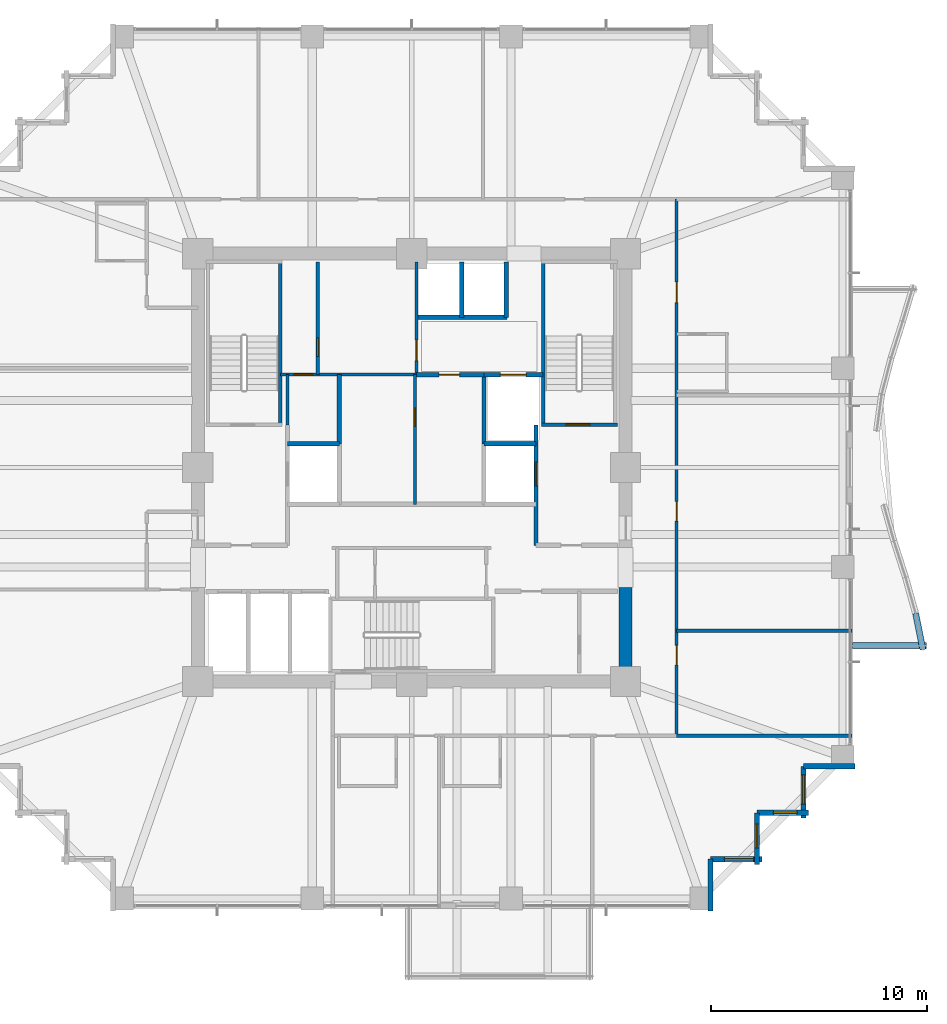
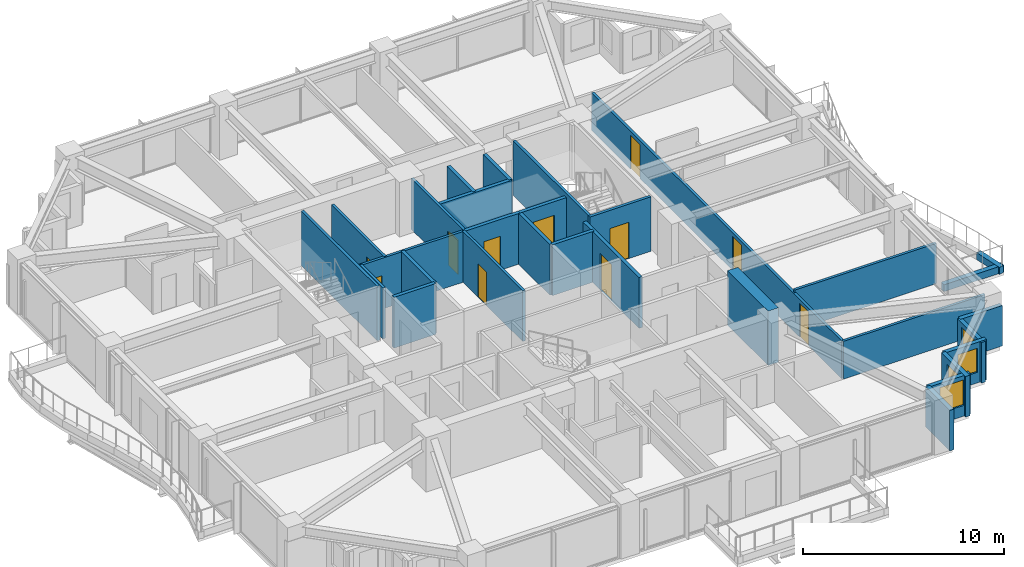
# One storey, part 33 of 38: 30 walls, 11 doors, 4 windows, 15 openings.
"""IFC4 building model written with IfcOpenShell, lengths in metres."""

from ifc_helpers import new_model, si_unit, direction, frame, frame_2d, origin, place, context, subcontext, project, spatial, rectangle, extrude, material, layer, layer_set, type_object, element, fill, save


model = new_model("IFC4")

# Units and contexts
model_context = context("Model", 3, precision=1e-05, world=origin(), true_north=direction((0.0, 1.0)))
body_context = subcontext(model_context, "Body", "Model", "MODEL_VIEW")
ifc_project = project(units=[si_unit("LENGTHUNIT", "METRE"), si_unit("AREAUNIT", "SQUARE_METRE"), si_unit("VOLUMEUNIT", "CUBIC_METRE"), si_unit("PLANEANGLEUNIT", "RADIAN"), si_unit("MASSUNIT", "GRAM", prefix="KILO")], contexts=[model_context])

# Site, building, storey
site_placement = place(None, origin())
site = spatial("IfcSite", under=ifc_project, at=site_placement, CompositionType="ELEMENT")
building_placement = place(site_placement, origin())
building = spatial("IfcBuilding", under=site, at=building_placement, Name="Kolvaren Belvedere", CompositionType="ELEMENT")
storey_placement = place(building_placement, frame((0.0, 0.0, 101.89990234375)))
storey = spatial("IfcBuildingStorey", under=building, at=storey_placement, Name="L29", CompositionType="ELEMENT", Elevation=101.89990234375)

# Walls
ifc_material_1 = material(Name="Concrete C60/75", Category="concrete")
ifc_layer_1 = layer(ifc_material_1, 0.60009765625)
ifc_layer_set_1 = layer_set([ifc_layer_1], Name="Concrete C60/75")
wall_type_1 = type_object("IfcWallType", Name="CW-CORE-600", PredefinedType="SHEAR", material=ifc_layer_set_1)
wall_1_placement = place(storey_placement, frame((9.89990234375, -9.60009765625, 0.0), z_axis=(0.0, 0.0, 1.0), x_axis=(0.0, 1.0, 0.0)))
element("IfcWall", 1, at=wall_1_placement, inside=storey, type_object=wall_type_1, Name="L29 East Core Shear Wall 1", PredefinedType="SHEAR", context=body_context, shape_type="SweptSolid", body=[
    extrude(rectangle(XDim=4.050048828125, YDim=0.60009765625, at=frame_2d((2.02490234375, 0.0))), origin(), (0.0, 0.0, 1.0), 3.300048828125),
])
ifc_material_2 = material(Name="Concrete C50/60", Category="concrete")
ifc_layer_2 = layer(ifc_material_2, 0.159912109375)
ifc_layer_set_2 = layer_set([ifc_layer_2], Name="Concrete C50/60")
wall_type_2 = type_object("IfcWallType", Name="CW-STAIR-160", PredefinedType="SHEAR", material=ifc_layer_set_2)
wall_2_placement = place(storey_placement, frame((-6.080078125, 1.969970703125, 0.0), z_axis=(0.0, 0.0, 1.0), x_axis=(0.0, 1.0, 0.0)))
element("IfcWall", 2, at=wall_2_placement, inside=storey, type_object=wall_type_2, Name="L29 Stair ST-1 East Shear Wall", PredefinedType="SHEAR", context=body_context, shape_type="SweptSolid", body=[
    extrude(rectangle(XDim=7.56005859375, YDim=0.159912109375, at=frame_2d((3.780029296875, 0.0))), origin(), (0.0, 0.0, 1.0), 3.300048828125),
])

# Wall, opening, door
wall_3_placement = place(storey_placement, frame((6.0, 1.969970703125, 0.0), z_axis=(0.0, 0.0, 1.0), x_axis=(1.0, 0.0, 0.0)))
wall_3 = element("IfcWall", 3, at=wall_3_placement, inside=storey, type_object=wall_type_2, Name="L29 Stair ST-2 South Shear Wall", PredefinedType="SHEAR", context=body_context, shape_type="SweptSolid", body=[
    extrude(rectangle(XDim=3.52001953125, YDim=0.159912109375, at=frame_2d((1.760009765625, 0.0))), origin(), (0.0, 0.0, 1.0), 3.300048828125),
])
opening_1_placement = place(wall_3_placement, frame((1.14990234375, 0.0, 0.0)))
opening_1 = element("IfcOpeningElement", 4, at=opening_1_placement, cuts=wall_3, Name="Opening D-FD90", PredefinedType="OPENING", context=body_context, shape_type="SweptSolid", body=[
    extrude(rectangle(XDim=1.10009765625, YDim=2.199951171875, at=frame_2d((0.550048828125, 1.10009765625))), frame((0.0, 0.08984375, 0.0), z_axis=(0.0, -1.0, 0.0), x_axis=(1.0, 0.0, 0.0)), (0.0, 0.0, 1.0), 0.179931640625),
])
ifc_material_3 = material(Name="Painted hollow stainless steel", Category="steel")
door_type_1 = type_object("IfcDoorType", Name="DR-FD90-1100", OperationType="NOTDEFINED", PredefinedType="DOOR", material=ifc_material_3)
door_1_placement = place(opening_1_placement, origin())
door_1 = element("IfcDoor", 5, at=door_1_placement, inside=storey, type_object=door_type_1, Name="L29 Stair ST-2 Fire Door", OperationType="SINGLE_SWING_RIGHT", OverallHeight=2.199951171875, OverallWidth=1.10009765625, PredefinedType="DOOR", context=body_context, shape_type="SweptSolid", body=[
    extrude(rectangle(XDim=1.10009765625, YDim=2.199951171875, at=frame_2d((0.550048828125, 1.10009765625))), frame((0.0, 0.02490234375, 0.0), z_axis=(0.0, -1.0, 0.0), x_axis=(1.0, 0.0, 0.0)), (0.0, 0.0, 1.0), 0.050048828125),
])
fill(opening_1, door_1)

# Wall
wall_4_placement = place(storey_placement, frame((6.080078125, 1.969970703125, 0.0), z_axis=(0.0, 0.0, 1.0), x_axis=(0.0, 1.0, 0.0)))
element("IfcWall", 6, at=wall_4_placement, inside=storey, type_object=wall_type_2, Name="L29 Stair ST-2 West Shear Wall", PredefinedType="SHEAR", context=body_context, shape_type="SweptSolid", body=[
    extrude(rectangle(XDim=7.56005859375, YDim=0.159912109375, at=frame_2d((3.780029296875, 0.0))), origin(), (0.0, 0.0, 1.0), 3.300048828125),
])

# Wall, openings, doors
ifc_material_4 = material(Name="Gypsum fire-rated partition assembly", Category="gypsum")
ifc_layer_3 = layer(ifc_material_4, 0.14990234375)
ifc_layer_set_3 = layer_set([ifc_layer_3], Name="Gypsum fire-rated partition assembly")
wall_type_3 = type_object("IfcWallType", Name="WL-CORR-150", PredefinedType="PARTITIONING", material=ifc_layer_set_3)
wall_5_placement = place(storey_placement, frame((12.260009765625, -12.419921875, 0.0), z_axis=(0.0, 0.0, 1.0), x_axis=(0.0, 1.0, 0.0)))
wall_5 = element("IfcWall", 7, at=wall_5_placement, inside=storey, type_object=wall_type_3, Name="L29 East Corridor Wall", PredefinedType="PARTITIONING", context=body_context, shape_type="SweptSolid", body=[
    extrude(rectangle(XDim=24.83984375, YDim=0.14990234375, at=frame_2d((12.419921875, 0.0))), origin(), (0.0, 0.0, 1.0), 2.2919921875),
])
opening_2_placement = place(wall_5_placement, frame((3.283203125, 0.0, 0.0)))
opening_2 = element("IfcOpeningElement", 8, at=opening_2_placement, cuts=wall_5, Name="Opening D-INT90", PredefinedType="OPENING", context=body_context, shape_type="SweptSolid", body=[
    extrude(rectangle(XDim=0.89990234375, YDim=2.06005859375, at=frame_2d((0.449951171875, 1.030029296875))), frame((0.0, 0.0849609375, 0.0), z_axis=(0.0, -1.0, 0.0), x_axis=(1.0, 0.0, 0.0)), (0.0, 0.0, 1.0), 0.169921875),
])
opening_3_placement = place(wall_5_placement, frame((9.93994140625, 0.0, 0.0)))
opening_3 = element("IfcOpeningElement", 9, at=opening_3_placement, cuts=wall_5, Name="Opening D-INT90", PredefinedType="OPENING", context=body_context, shape_type="SweptSolid", body=[
    extrude(rectangle(XDim=0.89990234375, YDim=2.06005859375, at=frame_2d((0.449951171875, 1.030029296875))), frame((0.0, 0.0849609375, 0.0), z_axis=(0.0, -1.0, 0.0), x_axis=(1.0, 0.0, 0.0)), (0.0, 0.0, 1.0), 0.169921875),
])
opening_4_placement = place(wall_5_placement, frame((20.047607421875, 0.0, 0.0)))
opening_4 = element("IfcOpeningElement", 10, at=opening_4_placement, cuts=wall_5, Name="Opening D-FD60", PredefinedType="OPENING", context=body_context, shape_type="SweptSolid", body=[
    extrude(rectangle(XDim=0.949951171875, YDim=2.06005859375, at=frame_2d((0.47509765625, 1.030029296875))), frame((0.0, 0.0849609375, 0.0), z_axis=(0.0, -1.0, 0.0), x_axis=(1.0, 0.0, 0.0)), (0.0, 0.0, 1.0), 0.169921875),
])
ifc_material_5 = material(Name="Acoustic white-oak fire door leaf", Category="timber")
door_type_2 = type_object("IfcDoorType", Name="DR-FD60-950", OperationType="NOTDEFINED", PredefinedType="DOOR", material=ifc_material_5)
door_2_placement = place(opening_4_placement, origin())
door_2 = element("IfcDoor", 11, at=door_2_placement, inside=storey, type_object=door_type_2, Name="L29 King Guest Room 2906 Entry Door", OperationType="SINGLE_SWING_RIGHT", OverallHeight=2.06005859375, OverallWidth=0.949951171875, PredefinedType="DOOR", context=body_context, shape_type="SweptSolid", body=[
    extrude(rectangle(XDim=0.949951171875, YDim=2.06005859375, at=frame_2d((0.47509765625, 1.030029296875))), frame((0.0, 0.02490234375, 0.0), z_axis=(0.0, -1.0, 0.0), x_axis=(1.0, 0.0, 0.0)), (0.0, 0.0, 1.0), 0.050048828125),
])
fill(opening_4, door_2)
ifc_material_6 = material(Name="Stained Pacific white oak", Category="timber")
door_type_3 = type_object("IfcDoorType", Name="DR-INT-900", OperationType="NOTDEFINED", PredefinedType="DOOR", material=ifc_material_6)
door_3_placement = place(opening_2_placement, origin())
door_3 = element("IfcDoor", 12, at=door_3_placement, inside=storey, type_object=door_type_3, Name="L29 Private Hospitality Meeting Room 2904 Door", OperationType="SINGLE_SWING_LEFT", OverallHeight=2.06005859375, OverallWidth=0.89990234375, PredefinedType="DOOR", context=body_context, shape_type="SweptSolid", body=[
    extrude(rectangle(XDim=0.89990234375, YDim=2.06005859375, at=frame_2d((0.449951171875, 1.030029296875))), frame((0.0, 0.02490234375, 0.0), z_axis=(0.0, -1.0, 0.0), x_axis=(1.0, 0.0, 0.0)), (0.0, 0.0, 1.0), 0.050048828125),
])
fill(opening_2, door_3)
door_4_placement = place(opening_3_placement, origin())
door_4 = element("IfcDoor", 13, at=door_4_placement, inside=storey, type_object=door_type_3, Name="L29 Botanical Reading Salon 2905 Door", OperationType="SINGLE_SWING_RIGHT", OverallHeight=2.06005859375, OverallWidth=0.89990234375, PredefinedType="DOOR", context=body_context, shape_type="SweptSolid", body=[
    extrude(rectangle(XDim=0.89990234375, YDim=2.06005859375, at=frame_2d((0.449951171875, 1.030029296875))), frame((0.0, 0.02490234375, 0.0), z_axis=(0.0, -1.0, 0.0), x_axis=(1.0, 0.0, 0.0)), (0.0, 0.0, 1.0), 0.050048828125),
])
fill(opening_3, door_4)

# Wall
ifc_material_7 = material(Name="Insulated pale-metal facade wall assembly", Category="aluminium")
ifc_layer_4 = layer(ifc_material_7, 0.239990234375)
ifc_layer_set_4 = layer_set([ifc_layer_4], Name="Insulated pale-metal facade wall assembly")
wall_type_4 = type_object("IfcWallType", Name="WL-EXT-240", PredefinedType="STANDARD", material=ifc_layer_set_4)
wall_6_placement = place(storey_placement, frame((13.830078125, -18.1298828125, 0.0), z_axis=(0.0, 0.0, 1.0), x_axis=(0.0, -1.0, 0.0)))
element("IfcWall", 14, at=wall_6_placement, inside=storey, type_object=wall_type_4, Name="L29 Serrated Corner Facade Wall 2", PredefinedType="STANDARD", context=body_context, shape_type="SweptSolid", body=[
    extrude(rectangle(XDim=2.39013671875, YDim=0.239990234375, at=frame_2d((1.195068359375, 0.0))), origin(), (0.0, 0.0, 1.0), 2.458984375),
])

# Wall, opening, window
wall_7_placement = place(storey_placement, frame((16.219970703125, -18.1298828125, 0.0), z_axis=(0.0, 0.0, 1.0), x_axis=(-1.0, 0.0, 0.0)))
wall_7 = element("IfcWall", 15, at=wall_7_placement, inside=storey, type_object=wall_type_4, Name="L29 Serrated Corner Facade Wall 3", PredefinedType="STANDARD", context=body_context, shape_type="SweptSolid", body=[
    extrude(rectangle(XDim=2.389892578125, YDim=0.239990234375, at=frame_2d((1.19482421875, 0.0))), origin(), (0.0, 0.0, 1.0), 2.458984375),
])
opening_5_placement = place(wall_7_placement, frame((0.39990234375, 0.0, 0.64990234375)))
opening_5 = element("IfcOpeningElement", 16, at=opening_5_placement, cuts=wall_7, Name="Opening W-1350", PredefinedType="OPENING", context=body_context, shape_type="SweptSolid", body=[
    extrude(rectangle(XDim=1.35009765625, YDim=1.550048828125, at=frame_2d((0.675048828125, 0.77490234375))), frame((0.0, 0.1298828125, 0.0), z_axis=(0.0, -1.0, 0.0), x_axis=(1.0, 0.0, 0.0)), (0.0, 0.0, 1.0), 0.260009765625),
])
ifc_material_8 = material(Name="Low-iron triple insulated glass", Category="glass")
window_type_1 = type_object("IfcWindowType", Name="WN-CORN-1350", PartitioningType="SINGLE_PANEL", PredefinedType="WINDOW", material=ifc_material_8)
window_1_placement = place(opening_5_placement, origin())
window_1 = element("IfcWindow", 17, at=window_1_placement, inside=storey, type_object=window_type_1, Name="L29 Serrated Corner Vision Window 3", OverallHeight=1.550048828125, OverallWidth=1.35009765625, PartitioningType="SINGLE_PANEL", PredefinedType="WINDOW", context=body_context, shape_type="SweptSolid", body=[
    extrude(rectangle(XDim=1.35009765625, YDim=1.550048828125, at=frame_2d((0.675048828125, 0.77490234375))), frame((0.0, 0.030029296875, 0.0), z_axis=(0.0, -1.0, 0.0), x_axis=(1.0, 0.0, 0.0)), (0.0, 0.0, 1.0), 0.06005859375),
])
fill(opening_5, window_1)

wall_8_placement = place(storey_placement, frame((15.97998046875, -15.97998046875, 0.0), z_axis=(0.0, 0.0, 1.0), x_axis=(0.0, -1.0, 0.0)))
wall_8 = element("IfcWall", 18, at=wall_8_placement, inside=storey, type_object=wall_type_4, Name="L29 Serrated Corner Facade Wall 4", PredefinedType="STANDARD", context=body_context, shape_type="SweptSolid", body=[
    extrude(rectangle(XDim=2.39013671875, YDim=0.239990234375, at=frame_2d((1.195068359375, 0.0))), origin(), (0.0, 0.0, 1.0), 2.458984375),
])
opening_6_placement = place(wall_8_placement, frame((0.52490234375, 0.0, 0.64990234375)))
opening_6 = element("IfcOpeningElement", 19, at=opening_6_placement, cuts=wall_8, Name="Opening W-1100", PredefinedType="OPENING", context=body_context, shape_type="SweptSolid", body=[
    extrude(rectangle(XDim=1.10009765625, YDim=1.449951171875, at=frame_2d((0.550048828125, 0.72509765625))), frame((0.0, 0.1298828125, 0.0), z_axis=(0.0, -1.0, 0.0), x_axis=(1.0, 0.0, 0.0)), (0.0, 0.0, 1.0), 0.260009765625),
])
ifc_material_9 = material(Name="Low-iron triple insulated glass", Category="glass")
window_type_2 = type_object("IfcWindowType", Name="WN-CORN-1100", PartitioningType="SINGLE_PANEL", PredefinedType="WINDOW", material=ifc_material_9)
window_2_placement = place(opening_6_placement, origin())
window_2 = element("IfcWindow", 20, at=window_2_placement, inside=storey, type_object=window_type_2, Name="L29 Serrated Corner Vision Window 4", OverallHeight=1.449951171875, OverallWidth=1.10009765625, PartitioningType="SINGLE_PANEL", PredefinedType="WINDOW", context=body_context, shape_type="SweptSolid", body=[
    extrude(rectangle(XDim=1.10009765625, YDim=1.449951171875, at=frame_2d((0.550048828125, 0.72509765625))), frame((0.0, 0.030029296875, 0.0), z_axis=(0.0, -1.0, 0.0), x_axis=(1.0, 0.0, 0.0)), (0.0, 0.0, 1.0), 0.06005859375),
])
fill(opening_6, window_2)

wall_9_placement = place(storey_placement, frame((18.3701171875, -15.97998046875, 0.0), z_axis=(0.0, 0.0, 1.0), x_axis=(-1.0, 0.0, 0.0)))
wall_9 = element("IfcWall", 21, at=wall_9_placement, inside=storey, type_object=wall_type_4, Name="L29 Serrated Corner Facade Wall 5", PredefinedType="STANDARD", context=body_context, shape_type="SweptSolid", body=[
    extrude(rectangle(XDim=2.39013671875, YDim=0.239990234375, at=frame_2d((1.195068359375, 0.0))), origin(), (0.0, 0.0, 1.0), 2.458984375),
])
opening_7_placement = place(wall_9_placement, frame((0.52490234375, 0.0, 0.64990234375)))
opening_7 = element("IfcOpeningElement", 22, at=opening_7_placement, cuts=wall_9, Name="Opening W-1100", PredefinedType="OPENING", context=body_context, shape_type="SweptSolid", body=[
    extrude(rectangle(XDim=1.10009765625, YDim=1.449951171875, at=frame_2d((0.550048828125, 0.72509765625))), frame((0.0, 0.1298828125, 0.0), z_axis=(0.0, -1.0, 0.0), x_axis=(1.0, 0.0, 0.0)), (0.0, 0.0, 1.0), 0.260009765625),
])
window_3_placement = place(opening_7_placement, origin())
window_3 = element("IfcWindow", 23, at=window_3_placement, inside=storey, type_object=window_type_2, Name="L29 Serrated Corner Vision Window 5", OverallHeight=1.449951171875, OverallWidth=1.10009765625, PartitioningType="SINGLE_PANEL", PredefinedType="WINDOW", context=body_context, shape_type="SweptSolid", body=[
    extrude(rectangle(XDim=1.10009765625, YDim=1.449951171875, at=frame_2d((0.550048828125, 0.72509765625))), frame((0.0, 0.030029296875, 0.0), z_axis=(0.0, -1.0, 0.0), x_axis=(1.0, 0.0, 0.0)), (0.0, 0.0, 1.0), 0.06005859375),
])
fill(opening_7, window_3)

wall_10_placement = place(storey_placement, frame((18.1298828125, -13.830078125, 0.0), z_axis=(0.0, 0.0, 1.0), x_axis=(0.0, -1.0, 0.0)))
wall_10 = element("IfcWall", 24, at=wall_10_placement, inside=storey, type_object=wall_type_4, Name="L29 Serrated Corner Facade Wall 6", PredefinedType="STANDARD", context=body_context, shape_type="SweptSolid", body=[
    extrude(rectangle(XDim=2.389892578125, YDim=0.239990234375, at=frame_2d((1.19482421875, 0.0))), origin(), (0.0, 0.0, 1.0), 2.458984375),
])
opening_8_placement = place(wall_10_placement, frame((0.39990234375, 0.0, 0.64990234375)))
opening_8 = element("IfcOpeningElement", 25, at=opening_8_placement, cuts=wall_10, Name="Opening W-1350", PredefinedType="OPENING", context=body_context, shape_type="SweptSolid", body=[
    extrude(rectangle(XDim=1.35009765625, YDim=1.550048828125, at=frame_2d((0.675048828125, 0.77490234375))), frame((0.0, 0.1298828125, 0.0), z_axis=(0.0, -1.0, 0.0), x_axis=(1.0, 0.0, 0.0)), (0.0, 0.0, 1.0), 0.260009765625),
])
window_4_placement = place(opening_8_placement, origin())
window_4 = element("IfcWindow", 26, at=window_4_placement, inside=storey, type_object=window_type_1, Name="L29 Serrated Corner Vision Window 6", OverallHeight=1.550048828125, OverallWidth=1.35009765625, PartitioningType="SINGLE_PANEL", PredefinedType="WINDOW", context=body_context, shape_type="SweptSolid", body=[
    extrude(rectangle(XDim=1.35009765625, YDim=1.550048828125, at=frame_2d((0.675048828125, 0.77490234375))), frame((0.0, 0.030029296875, 0.0), z_axis=(0.0, -1.0, 0.0), x_axis=(1.0, 0.0, 0.0)), (0.0, 0.0, 1.0), 0.06005859375),
])
fill(opening_8, window_4)

# Wall
wall_11_placement = place(storey_placement, frame((20.52001953125, -13.830078125, 0.0), z_axis=(0.0, 0.0, 1.0), x_axis=(-1.0, 0.0, 0.0)))
element("IfcWall", 27, at=wall_11_placement, inside=storey, type_object=wall_type_4, Name="L29 Serrated Corner Facade Wall 7", PredefinedType="STANDARD", context=body_context, shape_type="SweptSolid", body=[
    extrude(rectangle(XDim=2.39013671875, YDim=0.239990234375, at=frame_2d((1.195068359375, 0.0))), origin(), (0.0, 0.0, 1.0), 2.458984375),
])

# Wall, opening, door
ifc_material_10 = material(Name="Gypsum acoustic partition assembly", Category="gypsum")
ifc_layer_5 = layer(ifc_material_10, 0.14990234375)
ifc_layer_set_5 = layer_set([ifc_layer_5], Name="Gypsum acoustic partition assembly")
wall_type_5 = type_object("IfcWallType", Name="WL-PART-150", PredefinedType="PARTITIONING", material=ifc_layer_set_5)
wall_12_placement = place(storey_placement, frame((-6.080078125, 4.300048828125, 0.0), z_axis=(0.0, 0.0, 1.0), x_axis=(1.0, 0.0, 0.0)))
wall_12 = element("IfcWall", 28, at=wall_12_placement, inside=storey, type_object=wall_type_5, Name="L29 Reclaimed Salon South Wall", PredefinedType="PARTITIONING", context=body_context, shape_type="SweptSolid", body=[
    extrude(rectangle(XDim=6.300048828125, YDim=0.14990234375, at=frame_2d((3.14990234375, 0.0))), origin(), (0.0, 0.0, 1.0), 3.080078125),
])
opening_9_placement = place(wall_12_placement, frame((0.64990234375, 0.0, 0.0)))
opening_9 = element("IfcOpeningElement", 29, at=opening_9_placement, cuts=wall_12, Name="Opening D-INT85", PredefinedType="OPENING", context=body_context, shape_type="SweptSolid", body=[
    extrude(rectangle(XDim=0.85009765625, YDim=2.030029296875, at=frame_2d((0.425048828125, 1.01513671875))), frame((0.0, 0.0849609375, 0.0), z_axis=(0.0, -1.0, 0.0), x_axis=(1.0, 0.0, 0.0)), (0.0, 0.0, 1.0), 0.169921875),
])
ifc_material_11 = material(Name="Stained Pacific white oak", Category="timber")
door_type_4 = type_object("IfcDoorType", Name="DR-INT-850", OperationType="NOTDEFINED", PredefinedType="DOOR", material=ifc_material_11)
door_5_placement = place(opening_9_placement, origin())
door_5 = element("IfcDoor", 30, at=door_5_placement, inside=storey, type_object=door_type_4, Name="L29 NW Core Store Door", OperationType="SINGLE_SWING_RIGHT", OverallHeight=2.030029296875, OverallWidth=0.85009765625, PredefinedType="DOOR", context=body_context, shape_type="SweptSolid", body=[
    extrude(rectangle(XDim=0.85009765625, YDim=2.030029296875, at=frame_2d((0.425048828125, 1.01513671875))), frame((0.0, 0.02490234375, 0.0), z_axis=(0.0, -1.0, 0.0), x_axis=(1.0, 0.0, 0.0)), (0.0, 0.0, 1.0), 0.050048828125),
])
fill(opening_9, door_5)

wall_13_placement = place(storey_placement, frame((0.219970703125, 4.300048828125, 0.0), z_axis=(0.0, 0.0, 1.0), x_axis=(0.0, 1.0, 0.0)))
wall_13 = element("IfcWall", 31, at=wall_13_placement, inside=storey, type_object=wall_type_5, Name="L29 Reclaimed Salon East Wall", PredefinedType="PARTITIONING", context=body_context, shape_type="SweptSolid", body=[
    extrude(rectangle(XDim=5.219970703125, YDim=0.14990234375, at=frame_2d((2.60986328125, 0.0))), origin(), (0.0, 0.0, 1.0), 3.080078125),
])
opening_10_placement = place(wall_13_placement, frame((0.64990234375, 0.0, 0.0)))
opening_10 = element("IfcOpeningElement", 32, at=opening_10_placement, cuts=wall_13, Name="Opening D-INT95", PredefinedType="OPENING", context=body_context, shape_type="SweptSolid", body=[
    extrude(rectangle(XDim=0.949951171875, YDim=2.06005859375, at=frame_2d((0.47509765625, 1.030029296875))), frame((0.0, 0.0849609375, 0.0), z_axis=(0.0, -1.0, 0.0), x_axis=(1.0, 0.0, 0.0)), (0.0, 0.0, 1.0), 0.169921875),
])
ifc_material_12 = material(Name="Stained Pacific white oak", Category="timber")
door_type_5 = type_object("IfcDoorType", Name="DR-INT-950", OperationType="NOTDEFINED", PredefinedType="DOOR", material=ifc_material_12)
door_6_placement = place(opening_10_placement, origin())
door_6 = element("IfcDoor", 33, at=door_6_placement, inside=storey, type_object=door_type_5, Name="L29 Art Salon Door", OperationType="SINGLE_SWING_LEFT", OverallHeight=2.06005859375, OverallWidth=0.949951171875, PredefinedType="DOOR", context=body_context, shape_type="SweptSolid", body=[
    extrude(rectangle(XDim=0.949951171875, YDim=2.06005859375, at=frame_2d((0.47509765625, 1.030029296875))), frame((0.0, 0.02490234375, 0.0), z_axis=(0.0, -1.0, 0.0), x_axis=(1.0, 0.0, 0.0)), (0.0, 0.0, 1.0), 0.050048828125),
])
fill(opening_10, door_6)

wall_14_placement = place(storey_placement, frame((-4.35009765625, 4.300048828125, 0.0), z_axis=(0.0, 0.0, 1.0), x_axis=(0.0, 1.0, 0.0)))
wall_14 = element("IfcWall", 34, at=wall_14_placement, inside=storey, type_object=wall_type_5, Name="L29 Reclaimed Archive Divider", PredefinedType="PARTITIONING", context=body_context, shape_type="SweptSolid", body=[
    extrude(rectangle(XDim=5.219970703125, YDim=0.14990234375, at=frame_2d((2.60986328125, 0.0))), origin(), (0.0, 0.0, 1.0), 3.080078125),
])
opening_11_placement = place(wall_14_placement, frame((0.85009765625, 0.0, 0.0)))
opening_11 = element("IfcOpeningElement", 35, at=opening_11_placement, cuts=wall_14, Name="Opening D-INT85", PredefinedType="OPENING", context=body_context, shape_type="SweptSolid", body=[
    extrude(rectangle(XDim=0.85009765625, YDim=2.030029296875, at=frame_2d((0.425048828125, 1.01513671875))), frame((0.0, 0.0849609375, 0.0), z_axis=(0.0, -1.0, 0.0), x_axis=(1.0, 0.0, 0.0)), (0.0, 0.0, 1.0), 0.169921875),
])
door_7_placement = place(opening_11_placement, origin())
door_7 = element("IfcDoor", 36, at=door_7_placement, inside=storey, type_object=door_type_4, Name="L29 Archive Store Door", OperationType="SINGLE_SWING_RIGHT", OverallHeight=2.030029296875, OverallWidth=0.85009765625, PredefinedType="DOOR", context=body_context, shape_type="SweptSolid", body=[
    extrude(rectangle(XDim=0.85009765625, YDim=2.030029296875, at=frame_2d((0.425048828125, 1.01513671875))), frame((0.0, 0.02490234375, 0.0), z_axis=(0.0, -1.0, 0.0), x_axis=(1.0, 0.0, 0.0)), (0.0, 0.0, 1.0), 0.050048828125),
])
fill(opening_11, door_7)

wall_15_placement = place(storey_placement, frame((0.14990234375, -1.699951171875, 0.0), z_axis=(0.0, 0.0, 1.0), x_axis=(0.0, 1.0, 0.0)))
wall_15 = element("IfcWall", 37, at=wall_15_placement, inside=storey, type_object=wall_type_5, Name="L29 Central Core V-Divider", PredefinedType="PARTITIONING", context=body_context, shape_type="SweptSolid", body=[
    extrude(rectangle(XDim=6.0, YDim=0.14990234375, at=frame_2d((3.0, 0.0))), origin(), (0.0, 0.0, 1.0), 3.080078125),
])
opening_12_placement = place(wall_15_placement, frame((3.60009765625, 0.0, 0.0)))
opening_12 = element("IfcOpeningElement", 38, at=opening_12_placement, cuts=wall_15, Name="Opening D-INT85", PredefinedType="OPENING", context=body_context, shape_type="SweptSolid", body=[
    extrude(rectangle(XDim=0.85009765625, YDim=2.030029296875, at=frame_2d((0.425048828125, 1.01513671875))), frame((0.0, 0.0849609375, 0.0), z_axis=(0.0, -1.0, 0.0), x_axis=(1.0, 0.0, 0.0)), (0.0, 0.0, 1.0), 0.169921875),
])
door_8_placement = place(opening_12_placement, origin())
door_8 = element("IfcDoor", 39, at=door_8_placement, inside=storey, type_object=door_type_4, Name="L29 Central Linen Door", OperationType="SINGLE_SWING_RIGHT", OverallHeight=2.030029296875, OverallWidth=0.85009765625, PredefinedType="DOOR", context=body_context, shape_type="SweptSolid", body=[
    extrude(rectangle(XDim=0.85009765625, YDim=2.030029296875, at=frame_2d((0.425048828125, 1.01513671875))), frame((0.0, 0.02490234375, 0.0), z_axis=(0.0, -1.0, 0.0), x_axis=(1.0, 0.0, 0.0)), (0.0, 0.0, 1.0), 0.050048828125),
])
fill(opening_12, door_8)

# Walls
wall_16_placement = place(storey_placement, frame((-5.75, 1.969970703125, 0.0), z_axis=(0.0, 0.0, 1.0), x_axis=(0.0, 1.0, 0.0)))
element("IfcWall", 40, at=wall_16_placement, inside=storey, type_object=wall_type_5, Name="L29 NW Service Room West Wall", PredefinedType="PARTITIONING", context=body_context, shape_type="SweptSolid", body=[
    extrude(rectangle(XDim=2.330078125, YDim=0.14990234375, at=frame_2d((1.1650390625, 0.0))), origin(), (0.0, 0.0, 1.0), 3.080078125),
])
wall_17_placement = place(storey_placement, frame((12.260009765625, -12.419921875, 0.0), z_axis=(0.0, 0.0, 1.0), x_axis=(1.0, 0.0, 0.0)))
element("IfcWall", 41, at=wall_17_placement, inside=storey, type_object=wall_type_5, Name="L29 Wing Divider PW-L29-QSE", PredefinedType="PARTITIONING", context=body_context, shape_type="SweptSolid", body=[
    extrude(rectangle(XDim=8.119873046875, YDim=0.14990234375, at=frame_2d((4.06005859375, 0.0))), origin(), (0.0, 0.0, 1.0), 2.2919921875),
])
wall_18_placement = place(storey_placement, frame((12.260009765625, -7.56005859375, 0.0), z_axis=(0.0, 0.0, 1.0), x_axis=(1.0, 0.0, 0.0)))
element("IfcWall", 42, at=wall_18_placement, inside=storey, type_object=wall_type_5, Name="L29 East Suite Demising Wall 1", PredefinedType="PARTITIONING", context=body_context, shape_type="SweptSolid", body=[
    extrude(rectangle(XDim=8.119873046875, YDim=0.14990234375, at=frame_2d((4.06005859375, 0.0))), origin(), (0.0, 0.0, 1.0), 2.44921875),
])
ifc_material_13 = material(Name="Precast concrete C40/50", Category="concrete")
ifc_layer_6 = layer(ifc_material_13, 0.300048828125)
ifc_layer_set_6 = layer_set([ifc_layer_6], Name="Precast concrete C40/50")
wall_type_6 = type_object("IfcWallType", Name="WL-PLANTER-300", PredefinedType="PARAPET", material=ifc_layer_set_6)
wall_19_placement = place(storey_placement, frame((23.6630859375, -8.431884765625, -0.039794921875), z_axis=(0.0, 0.0, 1.0), x_axis=(-0.198662427795, 0.980067977123, 0.0)))
element("IfcWall", 43, at=wall_19_placement, inside=storey, type_object=wall_type_6, Name="L29 Precast Structural Planter Wall BAL-E-1", PredefinedType="PARAPET", context=body_context, shape_type="SweptSolid", body=[
    extrude(rectangle(XDim=1.71435546875, YDim=0.280029296875, at=frame_2d((0.857177734375, 0.0))), origin(), (0.0, 0.0, 1.0), 0.419921875),
])
wall_20_placement = place(storey_placement, frame((20.39990234375, -8.239990234375, -0.039794921875), z_axis=(0.0, 0.0, 1.0), x_axis=(1.0, 0.0, 0.0)))
element("IfcWall", 44, at=wall_20_placement, inside=storey, type_object=wall_type_6, Name="L29 Precast Structural Planter Wall BAL-E-22", PredefinedType="PARAPET", context=body_context, shape_type="SweptSolid", body=[
    extrude(rectangle(XDim=3.420166015625, YDim=0.280029296875, at=frame_2d((1.7099609375, 0.0))), origin(), (0.0, 0.0, 1.0), 0.419921875),
])
ifc_material_14 = material(Name="Concrete C50/60", Category="concrete")
ifc_layer_7 = layer(ifc_material_14, 0.199951171875)
ifc_layer_set_7 = layer_set([ifc_layer_7], Name="Concrete C50/60")
wall_type_7 = type_object("IfcWallType", Name="WL-SHAFT-200", PredefinedType="SOLIDWALL", material=ifc_layer_set_7)
wall_21_placement = place(storey_placement, frame((-5.75, 1.10009765625, 0.0), z_axis=(0.0, 0.0, 1.0), x_axis=(1.0, 0.0, 0.0)))
element("IfcWall", 45, at=wall_21_placement, inside=storey, type_object=wall_type_7, Name="L29 FSAE FS1 North Wall", PredefinedType="SOLIDWALL", context=body_context, shape_type="SweptSolid", body=[
    extrude(rectangle(XDim=2.39990234375, YDim=0.199951171875, at=frame_2d((1.199951171875, 0.0))), origin(), (0.0, 0.0, 1.0), 3.080078125),
])

# Wall, opening, door
wall_22_placement = place(storey_placement, frame((5.75, -3.60009765625, 0.0), z_axis=(0.0, 0.0, 1.0), x_axis=(0.0, 1.0, 0.0)))
wall_22 = element("IfcWall", 46, at=wall_22_placement, inside=storey, type_object=wall_type_7, Name="L29 FSAE FS2 Landing Wall", PredefinedType="SOLIDWALL", context=body_context, shape_type="SweptSolid", body=[
    extrude(rectangle(XDim=5.570068359375, YDim=0.199951171875, at=frame_2d((2.78515625, 0.0))), origin(), (0.0, 0.0, 1.0), 3.080078125),
])
opening_13_placement = place(wall_22_placement, frame((2.75, 0.0, 0.0)))
opening_13 = element("IfcOpeningElement", 47, at=opening_13_placement, cuts=wall_22, Name="Opening LD-11", PredefinedType="OPENING", context=body_context, shape_type="SweptSolid", body=[
    extrude(rectangle(XDim=1.10009765625, YDim=2.199951171875, at=frame_2d((0.550048828125, 1.10009765625))), frame((0.0, 0.10986328125, 0.0), z_axis=(0.0, -1.0, 0.0), x_axis=(1.0, 0.0, 0.0)), (0.0, 0.0, 1.0), 0.219970703125),
])
ifc_material_15 = material(Name="Brushed stainless steel", Category="steel")
door_type_6 = type_object("IfcDoorType", Name="DR-LIFT-1100", OperationType="DOUBLE_DOOR_SLIDING", PredefinedType="DOOR", material=ifc_material_15)
door_9_placement = place(opening_13_placement, origin())
door_9 = element("IfcDoor", 48, at=door_9_placement, inside=storey, type_object=door_type_6, Name="L29 Firefighting Lift FS2 Landing Door", OperationType="DOUBLE_DOOR_SLIDING", OverallHeight=2.199951171875, OverallWidth=1.10009765625, PredefinedType="DOOR", context=body_context, shape_type="SweptSolid", body=[
    extrude(rectangle(XDim=1.10009765625, YDim=2.199951171875, at=frame_2d((0.550048828125, 1.10009765625))), frame((0.0, 0.02490234375, 0.0), z_axis=(0.0, -1.0, 0.0), x_axis=(1.0, 0.0, 0.0)), (0.0, 0.0, 1.0), 0.050048828125),
])
fill(opening_13, door_9)

# Wall
wall_23_placement = place(storey_placement, frame((3.35009765625, 1.10009765625, 0.0), z_axis=(0.0, 0.0, 1.0), x_axis=(1.0, 0.0, 0.0)))
element("IfcWall", 49, at=wall_23_placement, inside=storey, type_object=wall_type_7, Name="L29 FSAE FS2 North Wall", PredefinedType="SOLIDWALL", context=body_context, shape_type="SweptSolid", body=[
    extrude(rectangle(XDim=2.39990234375, YDim=0.199951171875, at=frame_2d((1.199951171875, 0.0))), origin(), (0.0, 0.0, 1.0), 3.080078125),
])

# Wall, opening, door
wall_24_placement = place(storey_placement, frame((3.35009765625, 4.300048828125, 0.0), z_axis=(0.0, 0.0, 1.0), x_axis=(1.0, 0.0, 0.0)))
wall_24 = element("IfcWall", 50, at=wall_24_placement, inside=storey, type_object=wall_type_7, Name="L29 Service Lift SV1 Front Wall", PredefinedType="SOLIDWALL", context=body_context, shape_type="SweptSolid", body=[
    extrude(rectangle(XDim=2.72998046875, YDim=0.199951171875, at=frame_2d((1.364990234375, 0.0))), origin(), (0.0, 0.0, 1.0), 3.080078125),
])
opening_14_placement = place(wall_24_placement, frame((0.75, 0.0, 0.0)))
opening_14 = element("IfcOpeningElement", 51, at=opening_14_placement, cuts=wall_24, Name="Opening LD-12", PredefinedType="OPENING", context=body_context, shape_type="SweptSolid", body=[
    extrude(rectangle(XDim=1.199951171875, YDim=2.25, at=frame_2d((0.60009765625, 1.125))), frame((0.0, 0.10986328125, 0.0), z_axis=(0.0, -1.0, 0.0), x_axis=(1.0, 0.0, 0.0)), (0.0, 0.0, 1.0), 0.219970703125),
])
ifc_material_16 = material(Name="Brushed stainless steel", Category="steel")
door_type_7 = type_object("IfcDoorType", Name="DR-LIFT-1200", OperationType="DOUBLE_DOOR_SLIDING", PredefinedType="DOOR", material=ifc_material_16)
door_10_placement = place(opening_14_placement, origin())
door_10 = element("IfcDoor", 52, at=door_10_placement, inside=storey, type_object=door_type_7, Name="L29 Service Lift SV1 Landing Door", OperationType="DOUBLE_DOOR_SLIDING", OverallHeight=2.25, OverallWidth=1.199951171875, PredefinedType="DOOR", context=body_context, shape_type="SweptSolid", body=[
    extrude(rectangle(XDim=1.199951171875, YDim=2.25, at=frame_2d((0.60009765625, 1.125))), frame((0.0, 0.02490234375, 0.0), z_axis=(0.0, -1.0, 0.0), x_axis=(1.0, 0.0, 0.0)), (0.0, 0.0, 1.0), 0.050048828125),
])
fill(opening_14, door_10)

# Walls
wall_25_placement = place(storey_placement, frame((0.219970703125, 6.949951171875, 0.0), z_axis=(0.0, 0.0, 1.0), x_axis=(1.0, 0.0, 0.0)))
element("IfcWall", 53, at=wall_25_placement, inside=storey, type_object=wall_type_7, Name="L29 Express Shuttle Hoistway Wall", PredefinedType="SOLIDWALL", context=body_context, shape_type="SweptSolid", body=[
    extrude(rectangle(XDim=4.179931640625, YDim=0.199951171875, at=frame_2d((2.08984375, 0.0))), origin(), (0.0, 0.0, 1.0), 3.080078125),
])
for number, where, z_axis, x_axis, name in (
    (54, (4.3798828125, 6.949951171875, 0.0), (0.0, 0.0, 1.0), (0.0, 1.0, 0.0), "L29 Express Shuttle East Wall"),
    (55, (2.31005859375, 6.949951171875, 0.0), (0.0, 0.0, 1.0), (0.0, 1.0, 0.0), "L29 Express Shuttle Divider"),
):
    element("IfcWall", number, at=place(storey_placement, frame(where, z_axis=z_axis, x_axis=x_axis)), inside=storey, type_object=wall_type_7, Name=name, PredefinedType="SOLIDWALL", context=body_context, shape_type="SweptSolid", body=[
        extrude(rectangle(XDim=2.570068359375, YDim=0.199951171875, at=frame_2d((1.28515625, 0.0))), origin(), (0.0, 0.0, 1.0), 3.080078125),
    ])

# Wall, opening, door
wall_26_placement = place(storey_placement, frame((0.219970703125, 4.300048828125, 0.0), z_axis=(0.0, 0.0, 1.0), x_axis=(1.0, 0.0, 0.0)))
wall_26 = element("IfcWall", 56, at=wall_26_placement, inside=storey, type_object=wall_type_7, Name="L29 Central Core Room North Wall", PredefinedType="SOLIDWALL", context=body_context, shape_type="SweptSolid", body=[
    extrude(rectangle(XDim=3.130126953125, YDim=0.199951171875, at=frame_2d((1.56494140625, 0.0))), origin(), (0.0, 0.0, 1.0), 3.080078125),
])
opening_15_placement = place(wall_26_placement, frame((1.050048828125, 0.0, 0.0)))
opening_15 = element("IfcOpeningElement", 57, at=opening_15_placement, cuts=wall_26, Name="Opening D-FD60", PredefinedType="OPENING", context=body_context, shape_type="SweptSolid", body=[
    extrude(rectangle(XDim=0.949951171875, YDim=2.06005859375, at=frame_2d((0.47509765625, 1.030029296875))), frame((0.0, 0.10986328125, 0.0), z_axis=(0.0, -1.0, 0.0), x_axis=(1.0, 0.0, 0.0)), (0.0, 0.0, 1.0), 0.219970703125),
])
door_11_placement = place(opening_15_placement, origin())
door_11 = element("IfcDoor", 58, at=door_11_placement, inside=storey, type_object=door_type_2, Name="L29 Central Core Controls Door", OperationType="SINGLE_SWING_LEFT", OverallHeight=2.06005859375, OverallWidth=0.949951171875, PredefinedType="DOOR", context=body_context, shape_type="SweptSolid", body=[
    extrude(rectangle(XDim=0.949951171875, YDim=2.06005859375, at=frame_2d((0.47509765625, 1.030029296875))), frame((0.0, 0.02490234375, 0.0), z_axis=(0.0, -1.0, 0.0), x_axis=(1.0, 0.0, 0.0)), (0.0, 0.0, 1.0), 0.050048828125),
])
fill(opening_15, door_11)

# Walls
for number, where, z_axis, x_axis, name in (
    (59, (-3.35009765625, 1.10009765625, 0.0), (0.0, 0.0, 1.0), (0.0, 1.0, 0.0), "L29 Central Core Room West Wall"),
    (60, (3.35009765625, 1.10009765625, 0.0), (0.0, 0.0, 1.0), (0.0, 1.0, 0.0), "L29 Central Core Room East Wall"),
):
    element("IfcWall", number, at=place(storey_placement, frame(where, z_axis=z_axis, x_axis=x_axis)), inside=storey, type_object=wall_type_7, Name=name, PredefinedType="SOLIDWALL", context=body_context, shape_type="SweptSolid", body=[
        extrude(rectangle(XDim=3.199951171875, YDim=0.199951171875, at=frame_2d((1.60009765625, 0.0))), origin(), (0.0, 0.0, 1.0), 3.080078125),
    ])

save(model, "model.ifc")
